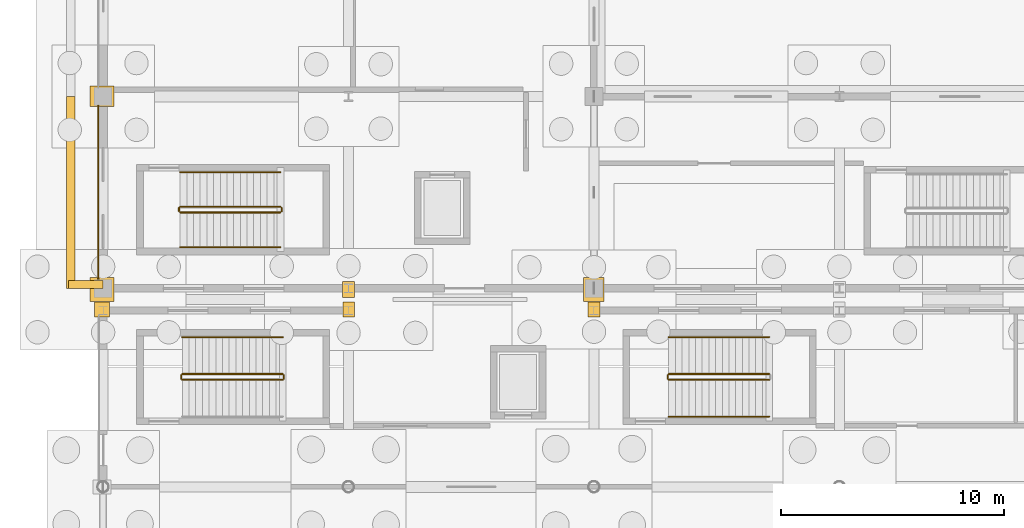
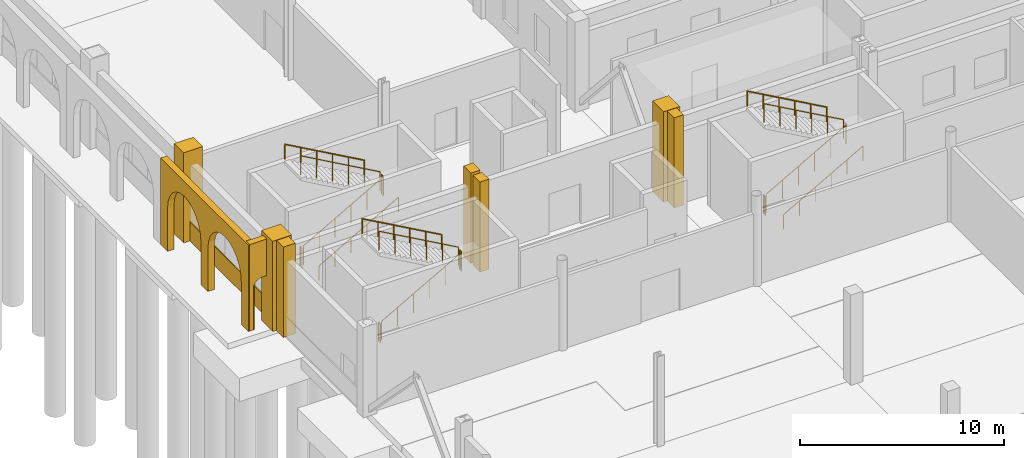
# One storey, part 67 of 83: 16 railings, 10 coverings.
"""IFC4 building model written with IfcOpenShell, lengths in metres."""

from ifc_helpers import new_model, si_unit, direction, frame, frame_2d, origin, origin_2d, place, context, subcontext, project, spatial, polyline, rectangle, circle, outline, extrude, material, layer, layer_set, type_object, element, save


model = new_model("IFC4")

# Units and contexts
model_context = context("Model", 3, precision=1e-05, world=origin(), true_north=direction((0.0, 1.0)))
body_context = subcontext(model_context, "Body", "Model", "MODEL_VIEW")
ifc_project = project(units=[si_unit("LENGTHUNIT", "METRE"), si_unit("AREAUNIT", "SQUARE_METRE"), si_unit("VOLUMEUNIT", "CUBIC_METRE"), si_unit("PLANEANGLEUNIT", "RADIAN"), si_unit("MASSUNIT", "GRAM", prefix="KILO")], contexts=[model_context])

# Site, building, storey
site_placement = place(None, origin())
site = spatial("IfcSite", under=ifc_project, at=site_placement, CompositionType="ELEMENT")
building_placement = place(site_placement, origin())
building = spatial("IfcBuilding", under=site, at=building_placement, Name="Caurita Quay Ferry Terminal", CompositionType="ELEMENT")
storey_placement = place(building_placement, origin())
storey = spatial("IfcBuildingStorey", under=building, at=storey_placement, Name="L00", CompositionType="ELEMENT", Elevation=0.0)

# Coverings
ifc_material_1 = material(Name="Warm-white lime stucco masonry", Category="masonry")
ifc_layer_1 = layer(ifc_material_1, 0.360107421875, Name="Spanish Colonial semicircular lime-stucco portales arcade 360 mm")
ifc_layer_set_1 = layer_set([ifc_layer_1], Name="Warm-white lime stucco masonry")
covering_type_1 = type_object("IfcCoveringType", Name="COV-ARC-CLD", PredefinedType="CLADDING", material=ifc_layer_set_1)
covering_1_placement = place(storey_placement, frame((-1.449951171875, 80.199951171875, 0.0), z_axis=(0.0, 0.0, 1.0), x_axis=(0.0, -1.0, 0.0)))
element("IfcCovering", 1, at=covering_1_placement, inside=storey, type_object=covering_type_1, Name="West Quay Portales Colonnade 011", PredefinedType="CLADDING", context=body_context, shape_type="SweptSolid", body=[
    extrude(outline(polyline([(0.0, 0.0), (0.679931640625, 0.0), (0.679931640625, 2.550048828125), (0.73583984375, 3.0029296875), (0.899658203125, 3.425048828125), (1.160400390625, 3.787353515625), (1.5, 4.0654296875), (1.8955078125, 4.240478515625), (2.320068359375, 4.300048828125), (2.744384765625, 4.240478515625), (3.139892578125, 4.0654296875), (3.4794921875, 3.787353515625), (3.740234375, 3.425048828125), (3.904052734375, 3.0029296875), (3.9599609375, 2.550048828125), (3.9599609375, 0.0), (4.639892578125, 0.0), (4.639892578125, 2.550048828125), (4.69580078125, 3.0029296875), (4.859619140625, 3.425048828125), (5.120361328125, 3.787353515625), (5.4599609375, 4.0654296875), (5.85546875, 4.240478515625), (6.27978515625, 4.300048828125), (6.704345703125, 4.240478515625), (7.099853515625, 4.0654296875), (7.439453125, 3.787353515625), (7.7001953125, 3.425048828125), (7.864013671875, 3.0029296875), (7.919921875, 2.550048828125), (7.919921875, 0.0), (8.599853515625, 0.0), (8.599853515625, 5.179931640625), (0.0, 5.179931640625), (0.0, 0.0)])), frame((0.0, 0.18017578125, 0.0), z_axis=(0.0, -1.0, 0.0), x_axis=(1.0, 0.0, 0.0)), (0.0, 0.0, 1.0), 0.360107421875),
])
covering_2_placement = place(storey_placement, frame((-1.550048828125, 71.780029296875, 0.0), z_axis=(0.0, 0.0, 1.0), x_axis=(1.0, 0.0, 0.0)))
element("IfcCovering", 2, at=covering_2_placement, inside=storey, type_object=covering_type_1, Name="West Portales End Arch 016", PredefinedType="CLADDING", context=body_context, shape_type="SweptSolid", body=[
    extrude(outline(polyline([(0.0, 0.0), (0.219970703125, 0.0), (0.219970703125, 2.550048828125), (0.239013671875, 2.66650390625), (0.29443359375, 2.77490234375), (0.382568359375, 2.8681640625), (0.49755859375, 2.939697265625), (0.63134765625, 2.984619140625), (0.77490234375, 3.0), (0.918701171875, 2.984619140625), (1.052490234375, 2.939697265625), (1.16748046875, 2.8681640625), (1.255615234375, 2.77490234375), (1.31103515625, 2.66650390625), (1.330078125, 2.550048828125), (1.330078125, 0.0), (1.550048828125, 0.0), (1.550048828125, 5.179931640625), (0.0, 5.179931640625), (0.0, 0.0)])), frame((0.0, 0.18017578125, 0.0), z_axis=(0.0, -1.0, 0.0), x_axis=(1.0, 0.0, 0.0)), (0.0, 0.0, 1.0), 0.360107421875),
])
ifc_material_2 = material(Name="Coral stone ashlar cladding", Category="masonry")
ifc_layer_2 = layer(ifc_material_2, 0.054931640625, Name="Rusticated coral-stone basamento plinth cladding 55 mm")
ifc_layer_set_2 = layer_set([ifc_layer_2], Name="Coral stone ashlar cladding")
covering_type_2 = type_object("IfcCoveringType", Name="COV-CORAL-CLD", PredefinedType="CLADDING", material=ifc_layer_set_2)
covering_3_placement = place(storey_placement, frame((-0.215087890625, 79.802001953125, 0.0), z_axis=(0.0, 0.0, 1.0), x_axis=(0.0, -1.0, 0.0)))
element("IfcCovering", 3, at=covering_3_placement, inside=storey, type_object=covering_type_2, Name="Coral-Stone Basamento Cladding 027", PredefinedType="CLADDING", context=body_context, shape_type="SweptSolid", body=[
    extrude(rectangle(XDim=7.803955078125, YDim=0.054931640625, at=frame_2d((3.90185546875, 0.0))), origin(), (0.0, 0.0, 1.0), 1.14990234375),
])
ifc_layer_3 = layer(ifc_material_1, 0.179931640625, Name="Classical engaged lime-stucco facade pilaster cladding 180 mm")
ifc_layer_set_3 = layer_set([ifc_layer_3], Name="Warm-white lime stucco masonry")
covering_type_3 = type_object("IfcCoveringType", Name="COV-PIL-CLD", PredefinedType="CLADDING", material=ifc_layer_set_3)
covering_4_placement = place(storey_placement, frame((-0.050048828125, 70.64990234375, 0.0), z_axis=(0.0, 0.0, 1.0), x_axis=(1.0, 0.0, 0.0)))
element("IfcCovering", 4, at=covering_4_placement, inside=storey, type_object=covering_type_3, Name="L00 Classical Engaged Pilaster 0014", PredefinedType="CLADDING", context=body_context, shape_type="SweptSolid", body=[
    extrude(rectangle(XDim=0.6787109375, YDim=0.673583984375, at=origin_2d()), origin(), (0.0, 0.0, 1.0), 5.39990234375),
])
for number, where, z_axis, x_axis, name in (
    (5, (11.0, 70.64990234375, 0.0), (0.0, 0.0, 1.0), (1.0, 0.0, 0.0), "L00 Classical Engaged Pilaster 0022"),
    (6, (22.0, 70.64990234375, 0.0), (0.0, 0.0, 1.0), (1.0, 0.0, 0.0), "L00 Classical Engaged Pilaster 0030"),
):
    element("IfcCovering", number, at=place(storey_placement, frame(where, z_axis=z_axis, x_axis=x_axis)), inside=storey, type_object=covering_type_3, Name=name, PredefinedType="CLADDING", context=body_context, shape_type="SweptSolid", body=[
        extrude(rectangle(XDim=0.518798828125, YDim=0.673583984375, at=origin_2d()), origin(), (0.0, 0.0, 1.0), 5.39990234375),
    ])
covering_5_placement = place(storey_placement, frame((-0.050048828125, 71.550048828125, 0.0), z_axis=(0.0, 0.0, 1.0), x_axis=(1.0, 0.0, 0.0)))
element("IfcCovering", 7, at=covering_5_placement, inside=storey, type_object=covering_type_3, Name="L00 Classical Engaged Pilaster 0266", PredefinedType="CLADDING", context=body_context, shape_type="SweptSolid", body=[
    extrude(rectangle(XDim=1.080078125, YDim=1.080078125, at=origin_2d()), origin(), (0.0, 0.0, 1.0), 5.39990234375),
])
covering_6_placement = place(storey_placement, frame((-0.050048828125, 80.199951171875, 0.0), z_axis=(0.0, 0.0, 1.0), x_axis=(1.0, 0.0, 0.0)))
element("IfcCovering", 8, at=covering_6_placement, inside=storey, type_object=covering_type_3, Name="L00 Classical Engaged Pilaster 0271", PredefinedType="CLADDING", context=body_context, shape_type="SweptSolid", body=[
    extrude(rectangle(XDim=1.080078125, YDim=0.919921875, at=origin_2d()), origin(), (0.0, 0.0, 1.0), 5.39990234375),
])
covering_7_placement = place(storey_placement, frame((11.0, 71.550048828125, 0.0), z_axis=(0.0, 0.0, 1.0), x_axis=(1.0, 0.0, 0.0)))
element("IfcCovering", 9, at=covering_7_placement, inside=storey, type_object=covering_type_3, Name="L00 Classical Engaged Pilaster 0296", PredefinedType="CLADDING", context=body_context, shape_type="SweptSolid", body=[
    extrude(rectangle(XDim=0.531005859375, YDim=0.714111328125, at=origin_2d()), origin(), (0.0, 0.0, 1.0), 5.39990234375),
])
covering_8_placement = place(storey_placement, frame((22.0, 71.550048828125, 0.0), z_axis=(0.0, 0.0, 1.0), x_axis=(1.0, 0.0, 0.0)))
element("IfcCovering", 10, at=covering_8_placement, inside=storey, type_object=covering_type_3, Name="L00 Classical Engaged Pilaster 0306", PredefinedType="CLADDING", context=body_context, shape_type="SweptSolid", body=[
    extrude(rectangle(XDim=0.919921875, YDim=1.080078125, at=origin_2d()), origin(), (0.0, 0.0, 1.0), 5.39990234375),
])

# Railings
ifc_material_3 = material(Name="Bronze architectural metalwork", Category="metal")
railing_type_1 = type_object("IfcRailingType", Name="RL-HND-090", PredefinedType="HANDRAIL", material=ifc_material_3)
railing_1_placement = place(storey_placement, frame((3.449951171875, 73.449951171875, 0.168701171875)))
element("IfcRailing", 11, at=railing_1_placement, inside=storey, type_object=railing_type_1, Name="L00 ST-02 stair handrail 1", PredefinedType="HANDRAIL", context=body_context, shape_type="SweptSolid", body=[
    extrude(circle(Radius=0.02392578125, at=origin_2d()), frame((0.0, 0.0, 0.8759765625), z_axis=(0.871575537125, 0.0, 0.490261239633), x_axis=(0.0, 1.0, 0.0)), (0.0, 0.0, 1.0), 5.1630859375),
    extrude(circle(Radius=0.02099609375, at=origin_2d()), origin(), (0.0, 0.0, 1.0), 0.851806640625),
    extrude(circle(Radius=0.02099609375, at=origin_2d()), frame((0.89990234375, 0.0, 0.50634765625)), (0.0, 0.0, 1.0), 0.851806640625),
    extrude(circle(Radius=0.02099609375, at=origin_2d()), frame((1.800048828125, 0.0, 1.012451171875)), (0.0, 0.0, 1.0), 0.851806640625),
    extrude(circle(Radius=0.02099609375, at=origin_2d()), frame((2.699951171875, 0.0, 1.518798828125)), (0.0, 0.0, 1.0), 0.851806640625),
    extrude(circle(Radius=0.02099609375, at=origin_2d()), frame((3.60009765625, 0.0, 2.02490234375)), (0.0, 0.0, 1.0), 0.851806640625),
    extrude(circle(Radius=0.02099609375, at=origin_2d()), frame((4.5, 0.0, 2.53125)), (0.0, 0.0, 1.0), 0.851806640625),
])
for number, where, name in (
    (12, (7.949951171875, 76.81005859375, 2.86865234375), "L00 ST-02 stair handrail 2"),
    (13, (8.050048828125, 69.409912109375, 2.86865234375), "L00 ST-05 stair handrail 2"),
):
    element("IfcRailing", number, at=place(storey_placement, frame(where)), inside=storey, type_object=railing_type_1, Name=name, PredefinedType="HANDRAIL", context=body_context, shape_type="SweptSolid", body=[
        extrude(circle(Radius=0.02392578125, at=origin_2d()), frame((0.0, 0.0, 0.8759765625), z_axis=(-0.871575537125, 0.0, 0.490261239633), x_axis=(0.0, -1.0, 0.0)), (0.0, 0.0, 1.0), 5.1630859375),
        extrude(circle(Radius=0.02099609375, at=origin_2d()), origin(), (0.0, 0.0, 1.0), 0.851806640625),
        extrude(circle(Radius=0.02099609375, at=origin_2d()), frame((-0.89990234375, 0.0, 0.50634765625)), (0.0, 0.0, 1.0), 0.851806640625),
        extrude(circle(Radius=0.02099609375, at=origin_2d()), frame((-1.800048828125, 0.0, 1.012451171875)), (0.0, 0.0, 1.0), 0.851806640625),
        extrude(circle(Radius=0.02099609375, at=origin_2d()), frame((-2.699951171875, 0.0, 1.518798828125)), (0.0, 0.0, 1.0), 0.851806640625),
        extrude(circle(Radius=0.02099609375, at=origin_2d()), frame((-3.60009765625, 0.0, 2.02490234375)), (0.0, 0.0, 1.0), 0.851806640625),
        extrude(circle(Radius=0.02099609375, at=origin_2d()), frame((-4.5, 0.0, 2.53125)), (0.0, 0.0, 1.0), 0.851806640625),
    ])
railing_2_placement = place(storey_placement, frame((25.35009765625, 65.85009765625, 0.168701171875)))
element("IfcRailing", 14, at=railing_2_placement, inside=storey, type_object=railing_type_1, Name="L00 ST-06 stair handrail 1", PredefinedType="HANDRAIL", context=body_context, shape_type="SweptSolid", body=[
    extrude(circle(Radius=0.02392578125, at=origin_2d()), frame((0.0, 0.0, 0.8759765625), z_axis=(0.871575537125, 0.0, 0.490261239633), x_axis=(0.0, 1.0, 0.0)), (0.0, 0.0, 1.0), 5.1630859375),
    extrude(circle(Radius=0.02099609375, at=origin_2d()), origin(), (0.0, 0.0, 1.0), 0.851806640625),
    extrude(circle(Radius=0.02099609375, at=origin_2d()), frame((0.89990234375, 0.0, 0.50634765625)), (0.0, 0.0, 1.0), 0.851806640625),
    extrude(circle(Radius=0.02099609375, at=origin_2d()), frame((1.800048828125, 0.0, 1.012451171875)), (0.0, 0.0, 1.0), 0.851806640625),
    extrude(circle(Radius=0.02099609375, at=origin_2d()), frame((2.699951171875, 0.0, 1.518798828125)), (0.0, 0.0, 1.0), 0.851806640625),
    extrude(circle(Radius=0.02099609375, at=origin_2d()), frame((3.60009765625, 0.0, 2.02490234375)), (0.0, 0.0, 1.0), 0.851806640625),
    extrude(circle(Radius=0.02099609375, at=origin_2d()), frame((4.5, 0.0, 2.53125)), (0.0, 0.0, 1.0), 0.851806640625),
])
railing_3_placement = place(storey_placement, frame((29.85009765625, 69.409912109375, 2.86865234375)))
element("IfcRailing", 15, at=railing_3_placement, inside=storey, type_object=railing_type_1, Name="L00 ST-06 stair handrail 2", PredefinedType="HANDRAIL", context=body_context, shape_type="SweptSolid", body=[
    extrude(circle(Radius=0.02392578125, at=origin_2d()), frame((0.0, 0.0, 0.8759765625), z_axis=(-0.871575537125, 0.0, 0.490261239633), x_axis=(0.0, -1.0, 0.0)), (0.0, 0.0, 1.0), 5.1630859375),
    extrude(circle(Radius=0.02099609375, at=origin_2d()), origin(), (0.0, 0.0, 1.0), 0.851806640625),
    extrude(circle(Radius=0.02099609375, at=origin_2d()), frame((-0.89990234375, 0.0, 0.50634765625)), (0.0, 0.0, 1.0), 0.851806640625),
    extrude(circle(Radius=0.02099609375, at=origin_2d()), frame((-1.800048828125, 0.0, 1.012451171875)), (0.0, 0.0, 1.0), 0.851806640625),
    extrude(circle(Radius=0.02099609375, at=origin_2d()), frame((-2.699951171875, 0.0, 1.518798828125)), (0.0, 0.0, 1.0), 0.851806640625),
    extrude(circle(Radius=0.02099609375, at=origin_2d()), frame((-3.60009765625, 0.0, 2.02490234375)), (0.0, 0.0, 1.0), 0.851806640625),
    extrude(circle(Radius=0.02099609375, at=origin_2d()), frame((-4.5, 0.0, 2.53125)), (0.0, 0.0, 1.0), 0.851806640625),
])
railing_type_2 = type_object("IfcRailingType", Name="RL-REJA-115", PredefinedType="BALUSTRADE", material=ifc_material_3)
railing_4_placement = place(storey_placement, frame((3.449951171875, 75.0, 0.168701171875)))
element("IfcRailing", 16, at=railing_4_placement, inside=storey, type_object=railing_type_2, Name="L00 ST-02 stair guard 1", PredefinedType="BALUSTRADE", context=body_context, shape_type="SweptSolid", body=[
    extrude(circle(Radius=0.02392578125, at=origin_2d()), frame((0.0, 0.0, 1.1259765625), z_axis=(0.871575537125, 0.0, 0.490261239633), x_axis=(0.0, 1.0, 0.0)), (0.0, 0.0, 1.0), 5.1630859375),
    extrude(circle(Radius=0.02099609375, at=origin_2d()), origin(), (0.0, 0.0, 1.0), 1.101806640625),
    extrude(circle(Radius=0.02099609375, at=origin_2d()), frame((0.89990234375, 0.0, 0.50634765625)), (0.0, 0.0, 1.0), 1.101806640625),
    extrude(circle(Radius=0.02099609375, at=origin_2d()), frame((1.800048828125, 0.0, 1.012451171875)), (0.0, 0.0, 1.0), 1.101806640625),
    extrude(circle(Radius=0.02099609375, at=origin_2d()), frame((2.699951171875, 0.0, 1.518798828125)), (0.0, 0.0, 1.0), 1.101806640625),
    extrude(circle(Radius=0.02099609375, at=origin_2d()), frame((3.60009765625, 0.0, 2.02490234375)), (0.0, 0.0, 1.0), 1.101806640625),
    extrude(circle(Radius=0.02099609375, at=origin_2d()), frame((4.5, 0.0, 2.53125)), (0.0, 0.0, 1.0), 1.101806640625),
])
railing_5_placement = place(storey_placement, frame((8.0, 75.050048828125, 2.699951171875)))
element("IfcRailing", 17, at=railing_5_placement, inside=storey, type_object=railing_type_2, Name="L00 ST-02 stair guard 2", PredefinedType="BALUSTRADE", context=body_context, shape_type="SweptSolid", body=[
    extrude(circle(Radius=0.02392578125, at=origin_2d()), frame((0.0, 0.0, 1.1259765625), z_axis=(0.0, 1.0, 0.0), x_axis=(-1.0, 0.0, 0.0)), (0.0, 0.0, 1.0), 0.159912109375),
    extrude(circle(Radius=0.02099609375, at=origin_2d()), origin(), (0.0, 0.0, 1.0), 1.101806640625),
    extrude(circle(Radius=0.02099609375, at=origin_2d()), frame((0.0, 0.159912109375, 0.0)), (0.0, 0.0, 1.0), 1.101806640625),
])
railing_6_placement = place(storey_placement, frame((7.949951171875, 75.260009765625, 2.86865234375)))
element("IfcRailing", 18, at=railing_6_placement, inside=storey, type_object=railing_type_2, Name="L00 ST-02 stair guard 3", PredefinedType="BALUSTRADE", context=body_context, shape_type="SweptSolid", body=[
    extrude(circle(Radius=0.02392578125, at=origin_2d()), frame((0.0, 0.0, 1.1259765625), z_axis=(-0.871575537125, 0.0, 0.490261239633), x_axis=(0.0, -1.0, 0.0)), (0.0, 0.0, 1.0), 5.1630859375),
    extrude(circle(Radius=0.02099609375, at=origin_2d()), origin(), (0.0, 0.0, 1.0), 1.101806640625),
    extrude(circle(Radius=0.02099609375, at=origin_2d()), frame((-0.89990234375, 0.0, 0.50634765625)), (0.0, 0.0, 1.0), 1.101806640625),
    extrude(circle(Radius=0.02099609375, at=origin_2d()), frame((-1.800048828125, 0.0, 1.012451171875)), (0.0, 0.0, 1.0), 1.101806640625),
    extrude(circle(Radius=0.02099609375, at=origin_2d()), frame((-2.699951171875, 0.0, 1.518798828125)), (0.0, 0.0, 1.0), 1.101806640625),
    extrude(circle(Radius=0.02099609375, at=origin_2d()), frame((-3.60009765625, 0.0, 2.02490234375)), (0.0, 0.0, 1.0), 1.101806640625),
    extrude(circle(Radius=0.02099609375, at=origin_2d()), frame((-4.5, 0.0, 2.53125)), (0.0, 0.0, 1.0), 1.101806640625),
])
railing_7_placement = place(storey_placement, frame((3.39990234375, 75.050048828125, 0.0)))
element("IfcRailing", 19, at=railing_7_placement, inside=storey, type_object=railing_type_2, Name="L00 ST-02 stair guard 4", PredefinedType="BALUSTRADE", context=body_context, shape_type="SweptSolid", body=[
    extrude(circle(Radius=0.02392578125, at=origin_2d()), frame((0.0, 0.0, 1.1259765625), z_axis=(0.0, 1.0, 0.0), x_axis=(-1.0, 0.0, 0.0)), (0.0, 0.0, 1.0), 0.159912109375),
    extrude(circle(Radius=0.02099609375, at=origin_2d()), origin(), (0.0, 0.0, 1.0), 1.101806640625),
    extrude(circle(Radius=0.02099609375, at=origin_2d()), frame((0.0, 0.159912109375, 0.0)), (0.0, 0.0, 1.0), 1.101806640625),
])
railing_8_placement = place(storey_placement, frame((3.550048828125, 67.5, 0.168701171875)))
element("IfcRailing", 20, at=railing_8_placement, inside=storey, type_object=railing_type_2, Name="L00 ST-05 stair guard 1", PredefinedType="BALUSTRADE", context=body_context, shape_type="SweptSolid", body=[
    extrude(circle(Radius=0.02392578125, at=origin_2d()), frame((0.0, 0.0, 1.1259765625), z_axis=(0.871575537125, 0.0, 0.490261239633), x_axis=(0.0, 1.0, 0.0)), (0.0, 0.0, 1.0), 5.1630859375),
    extrude(circle(Radius=0.02099609375, at=origin_2d()), origin(), (0.0, 0.0, 1.0), 1.101806640625),
    extrude(circle(Radius=0.02099609375, at=origin_2d()), frame((0.89990234375, 0.0, 0.50634765625)), (0.0, 0.0, 1.0), 1.101806640625),
    extrude(circle(Radius=0.02099609375, at=origin_2d()), frame((1.800048828125, 0.0, 1.012451171875)), (0.0, 0.0, 1.0), 1.101806640625),
    extrude(circle(Radius=0.02099609375, at=origin_2d()), frame((2.699951171875, 0.0, 1.518798828125)), (0.0, 0.0, 1.0), 1.101806640625),
    extrude(circle(Radius=0.02099609375, at=origin_2d()), frame((3.60009765625, 0.0, 2.02490234375)), (0.0, 0.0, 1.0), 1.101806640625),
    extrude(circle(Radius=0.02099609375, at=origin_2d()), frame((4.5, 0.0, 2.53125)), (0.0, 0.0, 1.0), 1.101806640625),
])
railing_9_placement = place(storey_placement, frame((8.10009765625, 67.550048828125, 2.699951171875)))
element("IfcRailing", 21, at=railing_9_placement, inside=storey, type_object=railing_type_2, Name="L00 ST-05 stair guard 2", PredefinedType="BALUSTRADE", context=body_context, shape_type="SweptSolid", body=[
    extrude(circle(Radius=0.02392578125, at=origin_2d()), frame((0.0, 0.0, 1.1259765625), z_axis=(0.0, 1.0, 0.0), x_axis=(-1.0, 0.0, 0.0)), (0.0, 0.0, 1.0), 0.159912109375),
    extrude(circle(Radius=0.02099609375, at=origin_2d()), origin(), (0.0, 0.0, 1.0), 1.101806640625),
    extrude(circle(Radius=0.02099609375, at=origin_2d()), frame((0.0, 0.159912109375, 0.0)), (0.0, 0.0, 1.0), 1.101806640625),
])
railing_10_placement = place(storey_placement, frame((8.050048828125, 67.760009765625, 2.86865234375)))
element("IfcRailing", 22, at=railing_10_placement, inside=storey, type_object=railing_type_2, Name="L00 ST-05 stair guard 3", PredefinedType="BALUSTRADE", context=body_context, shape_type="SweptSolid", body=[
    extrude(circle(Radius=0.02392578125, at=origin_2d()), frame((0.0, 0.0, 1.1259765625), z_axis=(-0.871575537125, 0.0, 0.490261239633), x_axis=(0.0, -1.0, 0.0)), (0.0, 0.0, 1.0), 5.1630859375),
    extrude(circle(Radius=0.02099609375, at=origin_2d()), origin(), (0.0, 0.0, 1.0), 1.101806640625),
    extrude(circle(Radius=0.02099609375, at=origin_2d()), frame((-0.89990234375, 0.0, 0.50634765625)), (0.0, 0.0, 1.0), 1.101806640625),
    extrude(circle(Radius=0.02099609375, at=origin_2d()), frame((-1.800048828125, 0.0, 1.012451171875)), (0.0, 0.0, 1.0), 1.101806640625),
    extrude(circle(Radius=0.02099609375, at=origin_2d()), frame((-2.699951171875, 0.0, 1.518798828125)), (0.0, 0.0, 1.0), 1.101806640625),
    extrude(circle(Radius=0.02099609375, at=origin_2d()), frame((-3.60009765625, 0.0, 2.02490234375)), (0.0, 0.0, 1.0), 1.101806640625),
    extrude(circle(Radius=0.02099609375, at=origin_2d()), frame((-4.5, 0.0, 2.53125)), (0.0, 0.0, 1.0), 1.101806640625),
])
railing_11_placement = place(storey_placement, frame((3.5, 67.550048828125, 0.0)))
element("IfcRailing", 23, at=railing_11_placement, inside=storey, type_object=railing_type_2, Name="L00 ST-05 stair guard 4", PredefinedType="BALUSTRADE", context=body_context, shape_type="SweptSolid", body=[
    extrude(circle(Radius=0.02392578125, at=origin_2d()), frame((0.0, 0.0, 1.1259765625), z_axis=(0.0, 1.0, 0.0), x_axis=(-1.0, 0.0, 0.0)), (0.0, 0.0, 1.0), 0.159912109375),
    extrude(circle(Radius=0.02099609375, at=origin_2d()), origin(), (0.0, 0.0, 1.0), 1.101806640625),
    extrude(circle(Radius=0.02099609375, at=origin_2d()), frame((0.0, 0.159912109375, 0.0)), (0.0, 0.0, 1.0), 1.101806640625),
])
railing_12_placement = place(storey_placement, frame((25.35009765625, 67.5, 0.168701171875)))
element("IfcRailing", 24, at=railing_12_placement, inside=storey, type_object=railing_type_2, Name="L00 ST-06 stair guard 1", PredefinedType="BALUSTRADE", context=body_context, shape_type="SweptSolid", body=[
    extrude(circle(Radius=0.02392578125, at=origin_2d()), frame((0.0, 0.0, 1.1259765625), z_axis=(0.871575537125, 0.0, 0.490261239633), x_axis=(0.0, 1.0, 0.0)), (0.0, 0.0, 1.0), 5.1630859375),
    extrude(circle(Radius=0.02099609375, at=origin_2d()), origin(), (0.0, 0.0, 1.0), 1.101806640625),
    extrude(circle(Radius=0.02099609375, at=origin_2d()), frame((0.89990234375, 0.0, 0.50634765625)), (0.0, 0.0, 1.0), 1.101806640625),
    extrude(circle(Radius=0.02099609375, at=origin_2d()), frame((1.800048828125, 0.0, 1.012451171875)), (0.0, 0.0, 1.0), 1.101806640625),
    extrude(circle(Radius=0.02099609375, at=origin_2d()), frame((2.699951171875, 0.0, 1.518798828125)), (0.0, 0.0, 1.0), 1.101806640625),
    extrude(circle(Radius=0.02099609375, at=origin_2d()), frame((3.60009765625, 0.0, 2.02490234375)), (0.0, 0.0, 1.0), 1.101806640625),
    extrude(circle(Radius=0.02099609375, at=origin_2d()), frame((4.5, 0.0, 2.53125)), (0.0, 0.0, 1.0), 1.101806640625),
])
railing_13_placement = place(storey_placement, frame((29.85009765625, 67.760009765625, 2.86865234375)))
element("IfcRailing", 25, at=railing_13_placement, inside=storey, type_object=railing_type_2, Name="L00 ST-06 stair guard 3", PredefinedType="BALUSTRADE", context=body_context, shape_type="SweptSolid", body=[
    extrude(circle(Radius=0.02392578125, at=origin_2d()), frame((0.0, 0.0, 1.1259765625), z_axis=(-0.871575537125, 0.0, 0.490261239633), x_axis=(0.0, -1.0, 0.0)), (0.0, 0.0, 1.0), 5.1630859375),
    extrude(circle(Radius=0.02099609375, at=origin_2d()), origin(), (0.0, 0.0, 1.0), 1.101806640625),
    extrude(circle(Radius=0.02099609375, at=origin_2d()), frame((-0.89990234375, 0.0, 0.50634765625)), (0.0, 0.0, 1.0), 1.101806640625),
    extrude(circle(Radius=0.02099609375, at=origin_2d()), frame((-1.800048828125, 0.0, 1.012451171875)), (0.0, 0.0, 1.0), 1.101806640625),
    extrude(circle(Radius=0.02099609375, at=origin_2d()), frame((-2.699951171875, 0.0, 1.518798828125)), (0.0, 0.0, 1.0), 1.101806640625),
    extrude(circle(Radius=0.02099609375, at=origin_2d()), frame((-3.60009765625, 0.0, 2.02490234375)), (0.0, 0.0, 1.0), 1.101806640625),
    extrude(circle(Radius=0.02099609375, at=origin_2d()), frame((-4.5, 0.0, 2.53125)), (0.0, 0.0, 1.0), 1.101806640625),
])
railing_14_placement = place(storey_placement, frame((25.300048828125, 67.550048828125, 0.0)))
element("IfcRailing", 26, at=railing_14_placement, inside=storey, type_object=railing_type_2, Name="L00 ST-06 stair guard 4", PredefinedType="BALUSTRADE", context=body_context, shape_type="SweptSolid", body=[
    extrude(circle(Radius=0.02392578125, at=origin_2d()), frame((0.0, 0.0, 1.1259765625), z_axis=(0.0, 1.0, 0.0), x_axis=(-1.0, 0.0, 0.0)), (0.0, 0.0, 1.0), 0.159912109375),
    extrude(circle(Radius=0.02099609375, at=origin_2d()), origin(), (0.0, 0.0, 1.0), 1.101806640625),
    extrude(circle(Radius=0.02099609375, at=origin_2d()), frame((0.0, 0.159912109375, 0.0)), (0.0, 0.0, 1.0), 1.101806640625),
])

save(model, "model.ifc")
